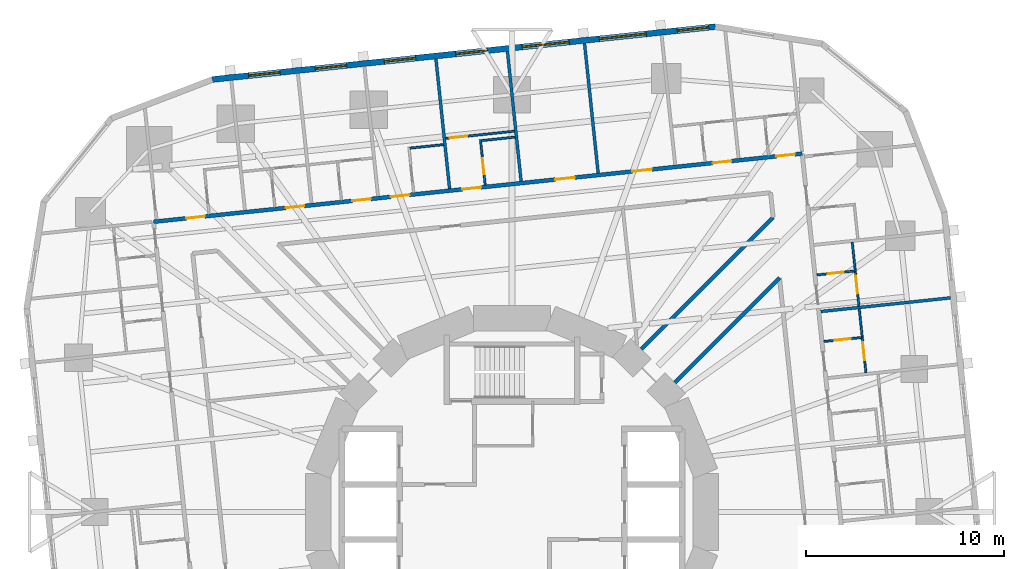
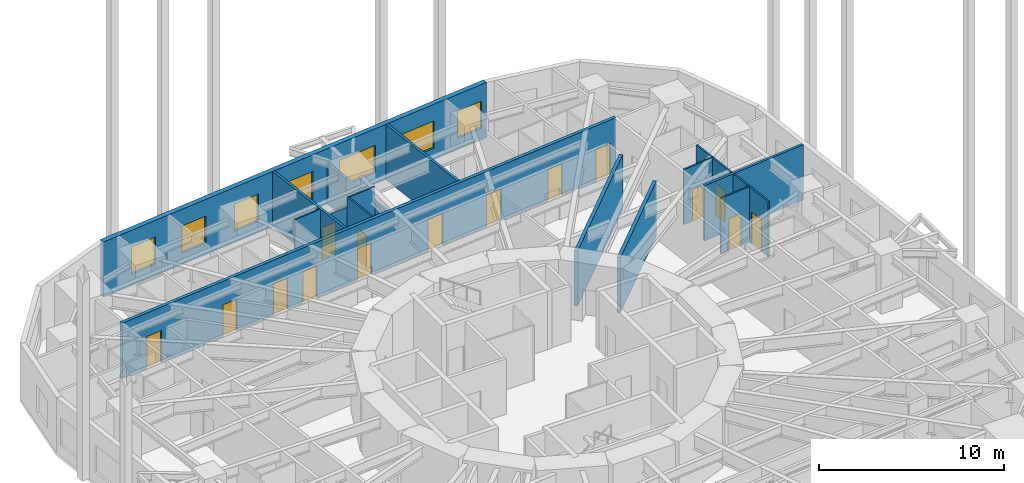
# One storey, part 11 of 13: 18 walls, 15 doors, 7 windows, 22 openings.
"""IFC4 building model written with IfcOpenShell, lengths in metres."""

from ifc_helpers import new_model, si_unit, direction, frame, frame_2d, origin, place, context, subcontext, project, spatial, rectangle, extrude, material, layer, layer_set, type_object, element, fill, save


model = new_model("IFC4")

# Units and contexts
model_context = context("Model", 3, precision=1e-05, world=origin(), true_north=direction((0.0, 1.0)))
body_context = subcontext(model_context, "Body", "Model", "MODEL_VIEW")
ifc_project = project(units=[si_unit("LENGTHUNIT", "METRE"), si_unit("AREAUNIT", "SQUARE_METRE"), si_unit("VOLUMEUNIT", "CUBIC_METRE"), si_unit("PLANEANGLEUNIT", "RADIAN"), si_unit("MASSUNIT", "GRAM", prefix="KILO")], contexts=[model_context])

# Site, building, storey
site_placement = place(None, origin())
site = spatial("IfcSite", under=ifc_project, at=site_placement, CompositionType="ELEMENT")
building_placement = place(site_placement, origin())
building = spatial("IfcBuilding", under=site, at=building_placement, Name="Nakasero Lantern House", CompositionType="ELEMENT")
storey_placement = place(building_placement, frame((0.0, 0.0, 60.5)))
storey = spatial("IfcBuildingStorey", under=building, at=storey_placement, Name="L14", CompositionType="ELEMENT", Elevation=60.5)

# Wall, openings, doors
ifc_material_1 = material(Name="Blockwork", Category="masonry")
ifc_layer_1 = layer(ifc_material_1, 0.199951171875)
ifc_layer_set_1 = layer_set([ifc_layer_1], Name="Corridor wall 200")
wall_type_1 = type_object("IfcWallType", Name="Corridor wall 200", PredefinedType="PARTITIONING", material=ifc_layer_set_1)
wall_1_placement = place(storey_placement, frame((14.684814453125, 18.13427734375, 0.0), z_axis=(0.0, 0.0, 1.0), x_axis=(-0.994521777723, -0.10452958258, 0.0)))
wall_1 = element("IfcWall", 1, at=wall_1_placement, inside=storey, type_object=wall_type_1, Name="Corridor wall L14 CW1", PredefinedType="PARTITIONING", context=body_context, shape_type="SweptSolid", body=[
    extrude(rectangle(XDim=32.999755859375, YDim=0.199951171875, at=frame_2d((16.5, 0.0))), origin(), (0.0, 0.0, 1.0), 3.64990234375),
])
opening_1_placement = place(wall_1_placement, frame((0.375, 0.0, 0.0)))
opening_1 = element("IfcOpeningElement", 2, at=opening_1_placement, cuts=wall_1, Name="Opening D01", PredefinedType="OPENING", context=body_context, shape_type="SweptSolid", body=[
    extrude(rectangle(XDim=0.949951171875, YDim=2.10009765625, at=frame_2d((0.47509765625, 1.050048828125))), frame((0.0, 0.119873046875, 0.0), z_axis=(0.0, -1.0, 0.0), x_axis=(1.0, 0.0, 0.0)), (0.0, 0.0, 1.0), 0.239990234375),
])
opening_2_placement = place(wall_1_placement, frame((3.600341796875, 0.0, 0.0)))
opening_2 = element("IfcOpeningElement", 3, at=opening_2_placement, cuts=wall_1, Name="Opening D01", PredefinedType="OPENING", context=body_context, shape_type="SweptSolid", body=[
    extrude(rectangle(XDim=0.949951171875, YDim=2.10009765625, at=frame_2d((0.47509765625, 1.050048828125))), frame((0.0, 0.119873046875, 0.0), z_axis=(0.0, -1.0, 0.0), x_axis=(1.0, 0.0, 0.0)), (0.0, 0.0, 1.0), 0.239990234375),
])
opening_3_placement = place(wall_1_placement, frame((16.3427734375, 0.0, 0.0)))
opening_3 = element("IfcOpeningElement", 4, at=opening_3_placement, cuts=wall_1, Name="Opening D01", PredefinedType="OPENING", context=body_context, shape_type="SweptSolid", body=[
    extrude(rectangle(XDim=0.949951171875, YDim=2.10009765625, at=frame_2d((0.47509765625, 1.050048828125))), frame((0.0, 0.119873046875, 0.0), z_axis=(0.0, -1.0, 0.0), x_axis=(1.0, 0.0, 0.0)), (0.0, 0.0, 1.0), 0.239990234375),
])
opening_4_placement = place(wall_1_placement, frame((19.9814453125, 0.0, 0.0)))
opening_4 = element("IfcOpeningElement", 5, at=opening_4_placement, cuts=wall_1, Name="Opening D01", PredefinedType="OPENING", context=body_context, shape_type="SweptSolid", body=[
    extrude(rectangle(XDim=0.949951171875, YDim=2.10009765625, at=frame_2d((0.47509765625, 1.050048828125))), frame((0.0, 0.119873046875, 0.0), z_axis=(0.0, -1.0, 0.0), x_axis=(1.0, 0.0, 0.0)), (0.0, 0.0, 1.0), 0.239990234375),
])
opening_5_placement = place(wall_1_placement, frame((21.945068359375, 0.0, 0.0)))
opening_5 = element("IfcOpeningElement", 6, at=opening_5_placement, cuts=wall_1, Name="Opening D01", PredefinedType="OPENING", context=body_context, shape_type="SweptSolid", body=[
    extrude(rectangle(XDim=0.949951171875, YDim=2.10009765625, at=frame_2d((0.47509765625, 1.050048828125))), frame((0.0, 0.119873046875, 0.0), z_axis=(0.0, -1.0, 0.0), x_axis=(1.0, 0.0, 0.0)), (0.0, 0.0, 1.0), 0.239990234375),
])
opening_6_placement = place(wall_1_placement, frame((25.33056640625, 0.0, 0.0)))
opening_6 = element("IfcOpeningElement", 7, at=opening_6_placement, cuts=wall_1, Name="Opening D01", PredefinedType="OPENING", context=body_context, shape_type="SweptSolid", body=[
    extrude(rectangle(XDim=0.949951171875, YDim=2.10009765625, at=frame_2d((0.47509765625, 1.050048828125))), frame((0.0, 0.119873046875, 0.0), z_axis=(0.0, -1.0, 0.0), x_axis=(1.0, 0.0, 0.0)), (0.0, 0.0, 1.0), 0.239990234375),
])
opening_7_placement = place(wall_1_placement, frame((30.39111328125, 0.0, 0.0)))
opening_7 = element("IfcOpeningElement", 8, at=opening_7_placement, cuts=wall_1, Name="Opening D01", PredefinedType="OPENING", context=body_context, shape_type="SweptSolid", body=[
    extrude(rectangle(XDim=0.949951171875, YDim=2.10009765625, at=frame_2d((0.47509765625, 1.050048828125))), frame((0.0, 0.119873046875, 0.0), z_axis=(0.0, -1.0, 0.0), x_axis=(1.0, 0.0, 0.0)), (0.0, 0.0, 1.0), 0.239990234375),
])
opening_8_placement = place(wall_1_placement, frame((7.650634765625, 0.0, 0.0)))
opening_8 = element("IfcOpeningElement", 9, at=opening_8_placement, cuts=wall_1, Name="Opening D03", PredefinedType="OPENING", context=body_context, shape_type="SweptSolid", body=[
    extrude(rectangle(XDim=1.0, YDim=2.10009765625, at=frame_2d((0.5, 1.050048828125))), frame((0.0, 0.119873046875, 0.0), z_axis=(0.0, -1.0, 0.0), x_axis=(1.0, 0.0, 0.0)), (0.0, 0.0, 1.0), 0.239990234375),
])
opening_9_placement = place(wall_1_placement, frame((11.57177734375, 0.0, 0.0)))
opening_9 = element("IfcOpeningElement", 10, at=opening_9_placement, cuts=wall_1, Name="Opening D03", PredefinedType="OPENING", context=body_context, shape_type="SweptSolid", body=[
    extrude(rectangle(XDim=1.0, YDim=2.10009765625, at=frame_2d((0.5, 1.050048828125))), frame((0.0, 0.119873046875, 0.0), z_axis=(0.0, -1.0, 0.0), x_axis=(1.0, 0.0, 0.0)), (0.0, 0.0, 1.0), 0.239990234375),
])
ifc_material_2 = material(Name="Timber C24", Category="wood")
door_type_1 = type_object("IfcDoorType", Name="Bedroom door FD30S 950", OperationType="SINGLE_SWING_LEFT", PredefinedType="DOOR", material=ifc_material_2)
door_1_placement = place(opening_1_placement, origin())
door_1 = element("IfcDoor", 11, at=door_1_placement, inside=storey, type_object=door_type_1, Name="Door L14 D1-00", OperationType="SINGLE_SWING_LEFT", OverallHeight=2.10009765625, OverallWidth=0.949951171875, PredefinedType="DOOR", context=body_context, shape_type="SweptSolid", body=[
    extrude(rectangle(XDim=0.949951171875, YDim=2.10009765625, at=frame_2d((0.47509765625, 1.050048828125))), frame((0.0, 0.02490234375, 0.0), z_axis=(0.0, -1.0, 0.0), x_axis=(1.0, 0.0, 0.0)), (0.0, 0.0, 1.0), 0.050048828125),
])
fill(opening_1, door_1)
door_2_placement = place(opening_2_placement, origin())
door_2 = element("IfcDoor", 12, at=door_2_placement, inside=storey, type_object=door_type_1, Name="Door L14 D1-01", OperationType="SINGLE_SWING_LEFT", OverallHeight=2.10009765625, OverallWidth=0.949951171875, PredefinedType="DOOR", context=body_context, shape_type="SweptSolid", body=[
    extrude(rectangle(XDim=0.949951171875, YDim=2.10009765625, at=frame_2d((0.47509765625, 1.050048828125))), frame((0.0, 0.02490234375, 0.0), z_axis=(0.0, -1.0, 0.0), x_axis=(1.0, 0.0, 0.0)), (0.0, 0.0, 1.0), 0.050048828125),
])
fill(opening_2, door_2)
door_3_placement = place(opening_3_placement, origin())
door_3 = element("IfcDoor", 13, at=door_3_placement, inside=storey, type_object=door_type_1, Name="Door L14 D1-04", OperationType="SINGLE_SWING_RIGHT", OverallHeight=2.10009765625, OverallWidth=0.949951171875, PredefinedType="DOOR", context=body_context, shape_type="SweptSolid", body=[
    extrude(rectangle(XDim=0.949951171875, YDim=2.10009765625, at=frame_2d((0.47509765625, 1.050048828125))), frame((0.0, 0.02490234375, 0.0), z_axis=(0.0, -1.0, 0.0), x_axis=(1.0, 0.0, 0.0)), (0.0, 0.0, 1.0), 0.050048828125),
])
fill(opening_3, door_3)
door_4_placement = place(opening_4_placement, origin())
door_4 = element("IfcDoor", 14, at=door_4_placement, inside=storey, type_object=door_type_1, Name="Door L14 D1-05", OperationType="SINGLE_SWING_RIGHT", OverallHeight=2.10009765625, OverallWidth=0.949951171875, PredefinedType="DOOR", context=body_context, shape_type="SweptSolid", body=[
    extrude(rectangle(XDim=0.949951171875, YDim=2.10009765625, at=frame_2d((0.47509765625, 1.050048828125))), frame((0.0, 0.02490234375, 0.0), z_axis=(0.0, -1.0, 0.0), x_axis=(1.0, 0.0, 0.0)), (0.0, 0.0, 1.0), 0.050048828125),
])
fill(opening_4, door_4)
door_5_placement = place(opening_5_placement, origin())
door_5 = element("IfcDoor", 15, at=door_5_placement, inside=storey, type_object=door_type_1, Name="Door L14 D1-06", OperationType="SINGLE_SWING_RIGHT", OverallHeight=2.10009765625, OverallWidth=0.949951171875, PredefinedType="DOOR", context=body_context, shape_type="SweptSolid", body=[
    extrude(rectangle(XDim=0.949951171875, YDim=2.10009765625, at=frame_2d((0.47509765625, 1.050048828125))), frame((0.0, 0.02490234375, 0.0), z_axis=(0.0, -1.0, 0.0), x_axis=(1.0, 0.0, 0.0)), (0.0, 0.0, 1.0), 0.050048828125),
])
fill(opening_5, door_5)
door_6_placement = place(opening_6_placement, origin())
door_6 = element("IfcDoor", 16, at=door_6_placement, inside=storey, type_object=door_type_1, Name="Door L14 D1-07", OperationType="SINGLE_SWING_RIGHT", OverallHeight=2.10009765625, OverallWidth=0.949951171875, PredefinedType="DOOR", context=body_context, shape_type="SweptSolid", body=[
    extrude(rectangle(XDim=0.949951171875, YDim=2.10009765625, at=frame_2d((0.47509765625, 1.050048828125))), frame((0.0, 0.02490234375, 0.0), z_axis=(0.0, -1.0, 0.0), x_axis=(1.0, 0.0, 0.0)), (0.0, 0.0, 1.0), 0.050048828125),
])
fill(opening_6, door_6)
door_7_placement = place(opening_7_placement, origin())
door_7 = element("IfcDoor", 17, at=door_7_placement, inside=storey, type_object=door_type_1, Name="Door L14 D1-08", OperationType="SINGLE_SWING_RIGHT", OverallHeight=2.10009765625, OverallWidth=0.949951171875, PredefinedType="DOOR", context=body_context, shape_type="SweptSolid", body=[
    extrude(rectangle(XDim=0.949951171875, YDim=2.10009765625, at=frame_2d((0.47509765625, 1.050048828125))), frame((0.0, 0.02490234375, 0.0), z_axis=(0.0, -1.0, 0.0), x_axis=(1.0, 0.0, 0.0)), (0.0, 0.0, 1.0), 0.050048828125),
])
fill(opening_7, door_7)
ifc_material_3 = material(Name="Timber C24", Category="wood")
door_type_2 = type_object("IfcDoorType", Name="Lounge door FD30S 1000", OperationType="SINGLE_SWING_LEFT", PredefinedType="DOOR", material=ifc_material_3)
door_8_placement = place(opening_8_placement, origin())
door_8 = element("IfcDoor", 18, at=door_8_placement, inside=storey, type_object=door_type_2, Name="Door L14 DK1", OperationType="SINGLE_SWING_LEFT", OverallHeight=2.10009765625, OverallWidth=1.0, PredefinedType="DOOR", context=body_context, shape_type="SweptSolid", body=[
    extrude(rectangle(XDim=1.0, YDim=2.10009765625, at=frame_2d((0.5, 1.050048828125))), frame((0.0, 0.02490234375, 0.0), z_axis=(0.0, -1.0, 0.0), x_axis=(1.0, 0.0, 0.0)), (0.0, 0.0, 1.0), 0.050048828125),
])
fill(opening_8, door_8)
door_9_placement = place(opening_9_placement, origin())
door_9 = element("IfcDoor", 19, at=door_9_placement, inside=storey, type_object=door_type_2, Name="Door L14 DK1-1", OperationType="SINGLE_SWING_LEFT", OverallHeight=2.10009765625, OverallWidth=1.0, PredefinedType="DOOR", context=body_context, shape_type="SweptSolid", body=[
    extrude(rectangle(XDim=1.0, YDim=2.10009765625, at=frame_2d((0.5, 1.050048828125))), frame((0.0, 0.02490234375, 0.0), z_axis=(0.0, -1.0, 0.0), x_axis=(1.0, 0.0, 0.0)), (0.0, 0.0, 1.0), 0.050048828125),
])
fill(opening_9, door_9)

# Walls
wall_2_placement = place(storey_placement, frame((6.54638671875, 8.243408203125, 0.0), z_axis=(0.0, 0.0, 1.0), x_axis=(0.707106781187, 0.707106781187, 0.0)))
element("IfcWall", 20, at=wall_2_placement, inside=storey, type_object=wall_type_1, Name="Corridor wall L14 PS02a", PredefinedType="PARTITIONING", context=body_context, shape_type="SweptSolid", body=[
    extrude(rectangle(XDim=9.42919921875, YDim=0.199951171875, at=frame_2d((4.714599609375, 0.0))), origin(), (0.0, 0.0, 1.0), 3.64990234375),
])
wall_3_placement = place(storey_placement, frame((8.243408203125, 6.54638671875, 0.0), z_axis=(0.0, 0.0, 1.0), x_axis=(0.707106781187, 0.707106781187, 0.0)))
element("IfcWall", 21, at=wall_3_placement, inside=storey, type_object=wall_type_1, Name="Corridor wall L14 PS02b", PredefinedType="PARTITIONING", context=body_context, shape_type="SweptSolid", body=[
    extrude(rectangle(XDim=7.48583984375, YDim=0.199951171875, at=frame_2d((3.742919921875, 0.0))), origin(), (0.0, 0.0, 1.0), 3.64990234375),
])

# Wall, opening, door
ifc_material_4 = material(Name="Blockwork", Category="masonry")
ifc_layer_2 = layer(ifc_material_4, 0.10009765625)
ifc_layer_set_2 = layer_set([ifc_layer_2], Name="En-suite wall 100")
wall_type_2 = type_object("IfcWallType", Name="En-suite wall 100", PredefinedType="PARTITIONING", material=ifc_layer_set_2)
wall_4_placement = place(storey_placement, frame((15.78466796875, 8.627685546875, 0.0), z_axis=(0.0, 0.0, 1.0), x_axis=(0.994512808172, 0.104614886044, 0.0)))
wall_4 = element("IfcWall", 22, at=wall_4_placement, inside=storey, type_object=wall_type_2, Name="En-suite wall L14 ES0-06", PredefinedType="PARTITIONING", context=body_context, shape_type="SweptSolid", body=[
    extrude(rectangle(XDim=2.0, YDim=0.10009765625, at=frame_2d((1.0, 0.0))), origin(), (0.0, 0.0, 1.0), 3.64990234375),
])
opening_10_placement = place(wall_4_placement, frame((0.550048828125, 0.0, 0.0)))
opening_10 = element("IfcOpeningElement", 23, at=opening_10_placement, cuts=wall_4, Name="Opening D02", PredefinedType="OPENING", context=body_context, shape_type="SweptSolid", body=[
    extrude(rectangle(XDim=0.800048828125, YDim=2.10009765625, at=frame_2d((0.39990234375, 1.050048828125))), frame((0.0, 0.070068359375, 0.0), z_axis=(0.0, -1.0, 0.0), x_axis=(1.0, 0.0, 0.0)), (0.0, 0.0, 1.0), 0.14013671875),
])
ifc_material_5 = material(Name="Timber C24", Category="wood")
door_type_3 = type_object("IfcDoorType", Name="En-suite door 800", OperationType="SINGLE_SWING_RIGHT", PredefinedType="DOOR", material=ifc_material_5)
door_10_placement = place(opening_10_placement, origin())
door_10 = element("IfcDoor", 24, at=door_10_placement, inside=storey, type_object=door_type_3, Name="Door L14 DE0-06", OperationType="SINGLE_SWING_LEFT", OverallHeight=2.10009765625, OverallWidth=0.800048828125, PredefinedType="DOOR", context=body_context, shape_type="SweptSolid", body=[
    extrude(rectangle(XDim=0.800048828125, YDim=2.10009765625, at=frame_2d((0.39990234375, 1.050048828125))), frame((0.0, 0.02490234375, 0.0), z_axis=(0.0, -1.0, 0.0), x_axis=(1.0, 0.0, 0.0)), (0.0, 0.0, 1.0), 0.050048828125),
])
fill(opening_10, door_10)

# Wall
wall_5_placement = place(storey_placement, frame((17.71875, 8.88134765625, 0.0), z_axis=(0.0, 0.0, 1.0), x_axis=(-0.104630319263, 0.994511184598, 0.0)))
element("IfcWall", 25, at=wall_5_placement, inside=storey, type_object=wall_type_2, Name="En-suite wall L14 EE0-06", PredefinedType="PARTITIONING", context=body_context, shape_type="SweptSolid", body=[
    extrude(rectangle(XDim=1.39990234375, YDim=0.10009765625, at=frame_2d((0.699951171875, 0.0))), origin(), (0.0, 0.0, 1.0), 3.64990234375),
])

# Wall, opening, door
wall_6_placement = place(storey_placement, frame((15.4306640625, 11.994873046875, 0.0), z_axis=(0.0, 0.0, 1.0), x_axis=(0.99452550138, 0.104494148666, 0.0)))
wall_6 = element("IfcWall", 26, at=wall_6_placement, inside=storey, type_object=wall_type_2, Name="En-suite wall L14 ES0-07", PredefinedType="PARTITIONING", context=body_context, shape_type="SweptSolid", body=[
    extrude(rectangle(XDim=2.0, YDim=0.10009765625, at=frame_2d((1.0, 0.0))), origin(), (0.0, 0.0, 1.0), 3.64990234375),
])
opening_11_placement = place(wall_6_placement, frame((0.550048828125, 0.0, 0.0)))
opening_11 = element("IfcOpeningElement", 27, at=opening_11_placement, cuts=wall_6, Name="Opening D02", PredefinedType="OPENING", context=body_context, shape_type="SweptSolid", body=[
    extrude(rectangle(XDim=0.800048828125, YDim=2.10009765625, at=frame_2d((0.39990234375, 1.050048828125))), frame((0.0, 0.070068359375, 0.0), z_axis=(0.0, -1.0, 0.0), x_axis=(1.0, 0.0, 0.0)), (0.0, 0.0, 1.0), 0.14013671875),
])
door_11_placement = place(opening_11_placement, origin())
door_11 = element("IfcDoor", 28, at=door_11_placement, inside=storey, type_object=door_type_3, Name="Door L14 DE0-07", OperationType="SINGLE_SWING_LEFT", OverallHeight=2.10009765625, OverallWidth=0.800048828125, PredefinedType="DOOR", context=body_context, shape_type="SweptSolid", body=[
    extrude(rectangle(XDim=0.800048828125, YDim=2.10009765625, at=frame_2d((0.39990234375, 1.050048828125))), frame((0.0, 0.02490234375, 0.0), z_axis=(0.0, -1.0, 0.0), x_axis=(1.0, 0.0, 0.0)), (0.0, 0.0, 1.0), 0.050048828125),
])
fill(opening_11, door_11)

# Wall
wall_7_placement = place(storey_placement, frame((17.36474609375, 12.248291015625, 0.0), z_axis=(0.0, 0.0, 1.0), x_axis=(-0.104457839748, 0.994529315664, 0.0)))
element("IfcWall", 29, at=wall_7_placement, inside=storey, type_object=wall_type_2, Name="En-suite wall L14 EE0-07", PredefinedType="PARTITIONING", context=body_context, shape_type="SweptSolid", body=[
    extrude(rectangle(XDim=1.39990234375, YDim=0.10009765625, at=frame_2d((0.699951171875, 0.0))), origin(), (0.0, 0.0, 1.0), 3.64990234375),
])

# Wall, opening, door
wall_8_placement = place(storey_placement, frame((-1.35498046875, 16.549072265625, 0.0), z_axis=(0.0, 0.0, 1.0), x_axis=(-0.104557694553, 0.994518822602, 0.0)))
wall_8 = element("IfcWall", 30, at=wall_8_placement, inside=storey, type_object=wall_type_2, Name="En-suite wall L14 ES1-04", PredefinedType="PARTITIONING", context=body_context, shape_type="SweptSolid", body=[
    extrude(rectangle(XDim=2.300048828125, YDim=0.10009765625, at=frame_2d((1.14990234375, 0.0))), origin(), (0.0, 0.0, 1.0), 3.64990234375),
])
opening_12_placement = place(wall_8_placement, frame((0.550048828125, 0.0, 0.0)))
opening_12 = element("IfcOpeningElement", 31, at=opening_12_placement, cuts=wall_8, Name="Opening D02", PredefinedType="OPENING", context=body_context, shape_type="SweptSolid", body=[
    extrude(rectangle(XDim=0.800048828125, YDim=2.10009765625, at=frame_2d((0.39990234375, 1.050048828125))), frame((0.0, 0.070068359375, 0.0), z_axis=(0.0, -1.0, 0.0), x_axis=(1.0, 0.0, 0.0)), (0.0, 0.0, 1.0), 0.14013671875),
])
door_12_placement = place(opening_12_placement, origin())
door_12 = element("IfcDoor", 32, at=door_12_placement, inside=storey, type_object=door_type_3, Name="Door L14 DE1-04", OperationType="SINGLE_SWING_LEFT", OverallHeight=2.10009765625, OverallWidth=0.800048828125, PredefinedType="DOOR", context=body_context, shape_type="SweptSolid", body=[
    extrude(rectangle(XDim=0.800048828125, YDim=2.10009765625, at=frame_2d((0.39990234375, 1.050048828125))), frame((0.0, 0.02490234375, 0.0), z_axis=(0.0, -1.0, 0.0), x_axis=(1.0, 0.0, 0.0)), (0.0, 0.0, 1.0), 0.050048828125),
])
fill(opening_12, door_12)

# Walls
for number, where, z_axis, x_axis, name in (
    (33, (0.150146484375, 18.9697265625, 0.0), (0.0, 0.0, 1.0), (-0.994519608382, -0.104550220202, 0.0), "En-suite wall L14 EE1-04"),
    (34, (-3.468505859375, 18.58935546875, 0.0), (0.0, 0.0, 1.0), (-0.994519608382, -0.104550220202, 0.0), "En-suite wall L14 EE1-05"),
):
    element("IfcWall", number, at=place(storey_placement, frame(where, z_axis=z_axis, x_axis=x_axis)), inside=storey, type_object=wall_type_2, Name=name, PredefinedType="PARTITIONING", context=body_context, shape_type="SweptSolid", body=[
        extrude(rectangle(XDim=1.699951171875, YDim=0.10009765625, at=frame_2d((0.85009765625, 0.0))), origin(), (0.0, 0.0, 1.0), 3.64990234375),
    ])

# Wall, opening, door
wall_9_placement = place(storey_placement, frame((17.91064453125, 7.055908203125, 0.0), z_axis=(0.0, 0.0, 1.0), x_axis=(-0.10451636674, 0.99452316669, 0.0)))
wall_9 = element("IfcWall", 35, at=wall_9_placement, inside=storey, type_object=wall_type_2, Name="En-suite wall L14 EL0-06", PredefinedType="PARTITIONING", context=body_context, shape_type="SweptSolid", body=[
    extrude(rectangle(XDim=1.735595703125, YDim=0.10009765625, at=frame_2d((0.86767578125, 0.0))), origin(), (0.0, 0.0, 1.0), 3.64990234375),
])
opening_13_placement = place(wall_9_placement, frame((0.635498046875, 0.0, 0.0)))
opening_13 = element("IfcOpeningElement", 36, at=opening_13_placement, cuts=wall_9, Name="Opening D17", PredefinedType="OPENING", context=body_context, shape_type="SweptSolid", body=[
    extrude(rectangle(XDim=0.89990234375, YDim=2.10009765625, at=frame_2d((0.449951171875, 1.050048828125))), frame((0.0, 0.070068359375, 0.0), z_axis=(0.0, -1.0, 0.0), x_axis=(1.0, 0.0, 0.0)), (0.0, 0.0, 1.0), 0.14013671875),
])
ifc_material_6 = material(Name="Timber C24", Category="wood")
door_type_4 = type_object("IfcDoorType", Name="Bedroom door FD30S 900", OperationType="SINGLE_SWING_LEFT", PredefinedType="DOOR", material=ifc_material_6)
door_13_placement = place(opening_13_placement, origin())
door_13 = element("IfcDoor", 37, at=door_13_placement, inside=storey, type_object=door_type_4, Name="Door L14 DL0-06", OperationType="SINGLE_SWING_RIGHT", OverallHeight=2.10009765625, OverallWidth=0.89990234375, PredefinedType="DOOR", context=body_context, shape_type="SweptSolid", body=[
    extrude(rectangle(XDim=0.89990234375, YDim=2.10009765625, at=frame_2d((0.449951171875, 1.050048828125))), frame((0.0, 0.02490234375, 0.0), z_axis=(0.0, -1.0, 0.0), x_axis=(1.0, 0.0, 0.0)), (0.0, 0.0, 1.0), 0.050048828125),
])
fill(opening_13, door_13)

wall_10_placement = place(storey_placement, frame((17.556640625, 10.4228515625, 0.0), z_axis=(0.0, 0.0, 1.0), x_axis=(-0.10451636674, 0.99452316669, 0.0)))
wall_10 = element("IfcWall", 38, at=wall_10_placement, inside=storey, type_object=wall_type_2, Name="En-suite wall L14 EL0-07", PredefinedType="PARTITIONING", context=body_context, shape_type="SweptSolid", body=[
    extrude(rectangle(XDim=1.735595703125, YDim=0.10009765625, at=frame_2d((0.86767578125, 0.0))), origin(), (0.0, 0.0, 1.0), 3.64990234375),
])
opening_14_placement = place(wall_10_placement, frame((0.635498046875, 0.0, 0.0)))
opening_14 = element("IfcOpeningElement", 39, at=opening_14_placement, cuts=wall_10, Name="Opening D17", PredefinedType="OPENING", context=body_context, shape_type="SweptSolid", body=[
    extrude(rectangle(XDim=0.89990234375, YDim=2.10009765625, at=frame_2d((0.449951171875, 1.050048828125))), frame((0.0, 0.070068359375, 0.0), z_axis=(0.0, -1.0, 0.0), x_axis=(1.0, 0.0, 0.0)), (0.0, 0.0, 1.0), 0.14013671875),
])
door_14_placement = place(opening_14_placement, origin())
door_14 = element("IfcDoor", 40, at=door_14_placement, inside=storey, type_object=door_type_4, Name="Door L14 DL0-07", OperationType="SINGLE_SWING_RIGHT", OverallHeight=2.10009765625, OverallWidth=0.89990234375, PredefinedType="DOOR", context=body_context, shape_type="SweptSolid", body=[
    extrude(rectangle(XDim=0.89990234375, YDim=2.10009765625, at=frame_2d((0.449951171875, 1.050048828125))), frame((0.0, 0.02490234375, 0.0), z_axis=(0.0, -1.0, 0.0), x_axis=(1.0, 0.0, 0.0)), (0.0, 0.0, 1.0), 0.050048828125),
])
fill(opening_14, door_14)

wall_11_placement = place(storey_placement, frame((0.118896484375, 19.26806640625, 0.0), z_axis=(0.0, 0.0, 1.0), x_axis=(-0.994519249013, -0.104553638592, 0.0)))
wall_11 = element("IfcWall", 41, at=wall_11_placement, inside=storey, type_object=wall_type_2, Name="En-suite wall L14 EL1-04", PredefinedType="PARTITIONING", context=body_context, shape_type="SweptSolid", body=[
    extrude(rectangle(XDim=3.488525390625, YDim=0.10009765625, at=frame_2d((1.744140625, 0.0))), origin(), (0.0, 0.0, 1.0), 2.809326171875),
])
opening_15_placement = place(wall_11_placement, frame((2.388671875, 0.0, 0.0)))
opening_15 = element("IfcOpeningElement", 42, at=opening_15_placement, cuts=wall_11, Name="Opening D17", PredefinedType="OPENING", context=body_context, shape_type="SweptSolid", body=[
    extrude(rectangle(XDim=0.89990234375, YDim=2.10009765625, at=frame_2d((0.449951171875, 1.050048828125))), frame((0.0, 0.070068359375, 0.0), z_axis=(0.0, -1.0, 0.0), x_axis=(1.0, 0.0, 0.0)), (0.0, 0.0, 1.0), 0.14013671875),
])
door_15_placement = place(opening_15_placement, origin())
door_15 = element("IfcDoor", 43, at=door_15_placement, inside=storey, type_object=door_type_4, Name="Door L14 DL1-04", OperationType="SINGLE_SWING_RIGHT", OverallHeight=2.10009765625, OverallWidth=0.89990234375, PredefinedType="DOOR", context=body_context, shape_type="SweptSolid", body=[
    extrude(rectangle(XDim=0.89990234375, YDim=2.10009765625, at=frame_2d((0.449951171875, 1.050048828125))), frame((0.0, 0.02490234375, 0.0), z_axis=(0.0, -1.0, 0.0), x_axis=(1.0, 0.0, 0.0)), (0.0, 0.0, 1.0), 0.050048828125),
])
fill(opening_15, door_15)

# Wall, openings, windows
ifc_material_7 = material(Name="Aluminium rainscreen on blockwork", Category="masonry")
ifc_layer_3 = layer(ifc_material_7, 0.300048828125)
ifc_layer_set_3 = layer_set([ifc_layer_3], Name="Facade wall 300")
wall_type_3 = type_object("IfcWallType", Name="Facade wall 300", PredefinedType="SOLIDWALL", material=ifc_layer_set_3)
wall_12_placement = place(storey_placement, frame((10.2890625, 24.56005859375, 0.0), z_axis=(0.0, 0.0, 1.0), x_axis=(-0.994521483895, -0.104532378096, 0.0)))
wall_12 = element("IfcWall", 44, at=wall_12_placement, inside=storey, type_object=wall_type_3, Name="Facade wall L14 FW1S", PredefinedType="SOLIDWALL", context=body_context, shape_type="SweptSolid", body=[
    extrude(rectangle(XDim=25.599853515625, YDim=0.300048828125, at=frame_2d((12.7998046875, 0.0))), origin(), (0.0, 0.0, 1.0), 3.64990234375),
])
opening_16_placement = place(wall_12_placement, frame((0.337890625, 0.0, 0.75)))
opening_16 = element("IfcOpeningElement", 45, at=opening_16_placement, cuts=wall_12, Name="Opening W01", PredefinedType="OPENING", context=body_context, shape_type="SweptSolid", body=[
    extrude(rectangle(XDim=1.60009765625, YDim=1.800048828125, at=frame_2d((0.800048828125, 0.89990234375))), frame((0.0, 0.169921875, 0.0), z_axis=(0.0, -1.0, 0.0), x_axis=(1.0, 0.0, 0.0)), (0.0, 0.0, 1.0), 0.340087890625),
])
opening_17_placement = place(wall_12_placement, frame((11.612060546875, 0.0, 0.75)))
opening_17 = element("IfcOpeningElement", 46, at=opening_17_placement, cuts=wall_12, Name="Opening W01", PredefinedType="OPENING", context=body_context, shape_type="SweptSolid", body=[
    extrude(rectangle(XDim=1.60009765625, YDim=1.800048828125, at=frame_2d((0.800048828125, 0.89990234375))), frame((0.0, 0.169921875, 0.0), z_axis=(0.0, -1.0, 0.0), x_axis=(1.0, 0.0, 0.0)), (0.0, 0.0, 1.0), 0.340087890625),
])
opening_18_placement = place(wall_12_placement, frame((15.250732421875, 0.0, 0.75)))
opening_18 = element("IfcOpeningElement", 47, at=opening_18_placement, cuts=wall_12, Name="Opening W01", PredefinedType="OPENING", context=body_context, shape_type="SweptSolid", body=[
    extrude(rectangle(XDim=1.60009765625, YDim=1.800048828125, at=frame_2d((0.800048828125, 0.89990234375))), frame((0.0, 0.169921875, 0.0), z_axis=(0.0, -1.0, 0.0), x_axis=(1.0, 0.0, 0.0)), (0.0, 0.0, 1.0), 0.340087890625),
])
opening_19_placement = place(wall_12_placement, frame((18.7626953125, 0.0, 0.75)))
opening_19 = element("IfcOpeningElement", 48, at=opening_19_placement, cuts=wall_12, Name="Opening W01", PredefinedType="OPENING", context=body_context, shape_type="SweptSolid", body=[
    extrude(rectangle(XDim=1.60009765625, YDim=1.800048828125, at=frame_2d((0.800048828125, 0.89990234375))), frame((0.0, 0.169921875, 0.0), z_axis=(0.0, -1.0, 0.0), x_axis=(1.0, 0.0, 0.0)), (0.0, 0.0, 1.0), 0.340087890625),
])
opening_20_placement = place(wall_12_placement, frame((22.1484375, 0.0, 0.75)))
opening_20 = element("IfcOpeningElement", 49, at=opening_20_placement, cuts=wall_12, Name="Opening W01", PredefinedType="OPENING", context=body_context, shape_type="SweptSolid", body=[
    extrude(rectangle(XDim=1.60009765625, YDim=1.800048828125, at=frame_2d((0.800048828125, 0.89990234375))), frame((0.0, 0.169921875, 0.0), z_axis=(0.0, -1.0, 0.0), x_axis=(1.0, 0.0, 0.0)), (0.0, 0.0, 1.0), 0.340087890625),
])
opening_21_placement = place(wall_12_placement, frame((3.51123046875, 0.0, 0.75)))
opening_21 = element("IfcOpeningElement", 50, at=opening_21_placement, cuts=wall_12, Name="Opening W03", PredefinedType="OPENING", context=body_context, shape_type="SweptSolid", body=[
    extrude(rectangle(XDim=2.39990234375, YDim=1.800048828125, at=frame_2d((1.199951171875, 0.89990234375))), frame((0.0, 0.169921875, 0.0), z_axis=(0.0, -1.0, 0.0), x_axis=(1.0, 0.0, 0.0)), (0.0, 0.0, 1.0), 0.340087890625),
])
opening_22_placement = place(wall_12_placement, frame((7.432373046875, 0.0, 0.75)))
opening_22 = element("IfcOpeningElement", 51, at=opening_22_placement, cuts=wall_12, Name="Opening W03", PredefinedType="OPENING", context=body_context, shape_type="SweptSolid", body=[
    extrude(rectangle(XDim=2.39990234375, YDim=1.800048828125, at=frame_2d((1.199951171875, 0.89990234375))), frame((0.0, 0.169921875, 0.0), z_axis=(0.0, -1.0, 0.0), x_axis=(1.0, 0.0, 0.0)), (0.0, 0.0, 1.0), 0.340087890625),
])
ifc_material_8 = material(Name="Aluminium 6063-T6 and glass", Category="aluminium")
window_type_1 = type_object("IfcWindowType", Name="Bedroom window 1600x1800", PartitioningType="SINGLE_PANEL", PredefinedType="WINDOW", material=ifc_material_8)
window_1_placement = place(opening_16_placement, origin())
window_1 = element("IfcWindow", 52, at=window_1_placement, inside=storey, type_object=window_type_1, Name="Window L14 WN1-01", OverallHeight=1.800048828125, OverallWidth=1.60009765625, PartitioningType="SINGLE_PANEL", PredefinedType="WINDOW", context=body_context, shape_type="SweptSolid", body=[
    extrude(rectangle(XDim=1.60009765625, YDim=1.800048828125, at=frame_2d((0.800048828125, 0.89990234375))), frame((0.0, 0.030029296875, 0.0), z_axis=(0.0, -1.0, 0.0), x_axis=(1.0, 0.0, 0.0)), (0.0, 0.0, 1.0), 0.06005859375),
])
fill(opening_16, window_1)
window_2_placement = place(opening_17_placement, origin())
window_2 = element("IfcWindow", 53, at=window_2_placement, inside=storey, type_object=window_type_1, Name="Window L14 WN1-04", OverallHeight=1.800048828125, OverallWidth=1.60009765625, PartitioningType="SINGLE_PANEL", PredefinedType="WINDOW", context=body_context, shape_type="SweptSolid", body=[
    extrude(rectangle(XDim=1.60009765625, YDim=1.800048828125, at=frame_2d((0.800048828125, 0.89990234375))), frame((0.0, 0.030029296875, 0.0), z_axis=(0.0, -1.0, 0.0), x_axis=(1.0, 0.0, 0.0)), (0.0, 0.0, 1.0), 0.06005859375),
])
fill(opening_17, window_2)
window_3_placement = place(opening_18_placement, origin())
window_3 = element("IfcWindow", 54, at=window_3_placement, inside=storey, type_object=window_type_1, Name="Window L14 WN1-05", OverallHeight=1.800048828125, OverallWidth=1.60009765625, PartitioningType="SINGLE_PANEL", PredefinedType="WINDOW", context=body_context, shape_type="SweptSolid", body=[
    extrude(rectangle(XDim=1.60009765625, YDim=1.800048828125, at=frame_2d((0.800048828125, 0.89990234375))), frame((0.0, 0.030029296875, 0.0), z_axis=(0.0, -1.0, 0.0), x_axis=(1.0, 0.0, 0.0)), (0.0, 0.0, 1.0), 0.06005859375),
])
fill(opening_18, window_3)
window_4_placement = place(opening_19_placement, origin())
window_4 = element("IfcWindow", 55, at=window_4_placement, inside=storey, type_object=window_type_1, Name="Window L14 WN1-06", OverallHeight=1.800048828125, OverallWidth=1.60009765625, PartitioningType="SINGLE_PANEL", PredefinedType="WINDOW", context=body_context, shape_type="SweptSolid", body=[
    extrude(rectangle(XDim=1.60009765625, YDim=1.800048828125, at=frame_2d((0.800048828125, 0.89990234375))), frame((0.0, 0.030029296875, 0.0), z_axis=(0.0, -1.0, 0.0), x_axis=(1.0, 0.0, 0.0)), (0.0, 0.0, 1.0), 0.06005859375),
])
fill(opening_19, window_4)
window_5_placement = place(opening_20_placement, origin())
window_5 = element("IfcWindow", 56, at=window_5_placement, inside=storey, type_object=window_type_1, Name="Window L14 WN1-07", OverallHeight=1.800048828125, OverallWidth=1.60009765625, PartitioningType="SINGLE_PANEL", PredefinedType="WINDOW", context=body_context, shape_type="SweptSolid", body=[
    extrude(rectangle(XDim=1.60009765625, YDim=1.800048828125, at=frame_2d((0.800048828125, 0.89990234375))), frame((0.0, 0.030029296875, 0.0), z_axis=(0.0, -1.0, 0.0), x_axis=(1.0, 0.0, 0.0)), (0.0, 0.0, 1.0), 0.06005859375),
])
fill(opening_20, window_5)
ifc_material_9 = material(Name="Aluminium 6063-T6 and glass", Category="aluminium")
window_type_2 = type_object("IfcWindowType", Name="Lounge window 2400x1800", PartitioningType="SINGLE_PANEL", PredefinedType="WINDOW", material=ifc_material_9)
window_6_placement = place(opening_21_placement, origin())
window_6 = element("IfcWindow", 57, at=window_6_placement, inside=storey, type_object=window_type_2, Name="Window L14 WK1", OverallHeight=1.800048828125, OverallWidth=2.39990234375, PartitioningType="SINGLE_PANEL", PredefinedType="WINDOW", context=body_context, shape_type="SweptSolid", body=[
    extrude(rectangle(XDim=2.39990234375, YDim=1.800048828125, at=frame_2d((1.199951171875, 0.89990234375))), frame((0.0, 0.030029296875, 0.0), z_axis=(0.0, -1.0, 0.0), x_axis=(1.0, 0.0, 0.0)), (0.0, 0.0, 1.0), 0.06005859375),
])
fill(opening_21, window_6)
window_7_placement = place(opening_22_placement, origin())
window_7 = element("IfcWindow", 58, at=window_7_placement, inside=storey, type_object=window_type_2, Name="Window L14 WL1", OverallHeight=1.800048828125, OverallWidth=2.39990234375, PartitioningType="SINGLE_PANEL", PredefinedType="WINDOW", context=body_context, shape_type="SweptSolid", body=[
    extrude(rectangle(XDim=2.39990234375, YDim=1.800048828125, at=frame_2d((1.199951171875, 0.89990234375))), frame((0.0, 0.030029296875, 0.0), z_axis=(0.0, -1.0, 0.0), x_axis=(1.0, 0.0, 0.0)), (0.0, 0.0, 1.0), 0.06005859375),
])
fill(opening_22, window_7)

# Walls
ifc_material_10 = material(Name="Blockwork", Category="masonry")
ifc_layer_4 = layer(ifc_material_10, 0.14990234375)
ifc_layer_set_4 = layer_set([ifc_layer_4], Name="Party wall 150")
wall_type_4 = type_object("IfcWallType", Name="Party wall 150", PredefinedType="PARTITIONING", material=ifc_layer_set_4)
for number, where, z_axis, x_axis, name in (
    (59, (15.625244140625, 10.14453125, 0.0), (0.0, 0.0, 1.0), (0.994524692105, 0.104501850668, 0.0), "Party wall L14 PW0-07"),
    (60, (4.359619140625, 17.149658203125, 0.0), (0.0, 0.0, 1.0), (-0.104538438287, 0.994520846901, 0.0), "Party wall L14 PW1-03"),
):
    element("IfcWall", number, at=place(storey_placement, frame(where, z_axis=z_axis, x_axis=x_axis)), inside=storey, type_object=wall_type_4, Name=name, PredefinedType="PARTITIONING", context=body_context, shape_type="SweptSolid", body=[
        extrude(rectangle(XDim=6.599853515625, YDim=0.14990234375, at=frame_2d((3.2998046875, 0.0))), origin(), (0.0, 0.0, 1.0), 3.64990234375),
    ])
wall_13_placement = place(storey_placement, frame((0.4599609375, 16.73974609375, 0.0), z_axis=(0.0, 0.0, 1.0), x_axis=(-0.104534592565, 0.994521251134, 0.0)))
element("IfcWall", 61, at=wall_13_placement, inside=storey, type_object=wall_type_4, Name="Party wall L14 PW1-04", PredefinedType="PARTITIONING", context=body_context, shape_type="SweptSolid", body=[
    extrude(rectangle(XDim=6.60009765625, YDim=0.14990234375, at=frame_2d((3.300048828125, 0.0))), origin(), (0.0, 0.0, 1.0), 2.659912109375),
])
wall_14_placement = place(storey_placement, frame((-3.15869140625, 16.359375, 0.0), z_axis=(0.0, 0.0, 1.0), x_axis=(-0.104534592565, 0.994521251134, 0.0)))
element("IfcWall", 62, at=wall_14_placement, inside=storey, type_object=wall_type_4, Name="Party wall L14 PW1-05", PredefinedType="PARTITIONING", context=body_context, shape_type="SweptSolid", body=[
    extrude(rectangle(XDim=6.60009765625, YDim=0.14990234375, at=frame_2d((3.300048828125, 0.0))), origin(), (0.0, 0.0, 1.0), 3.64990234375),
])

save(model, "model.ifc")
